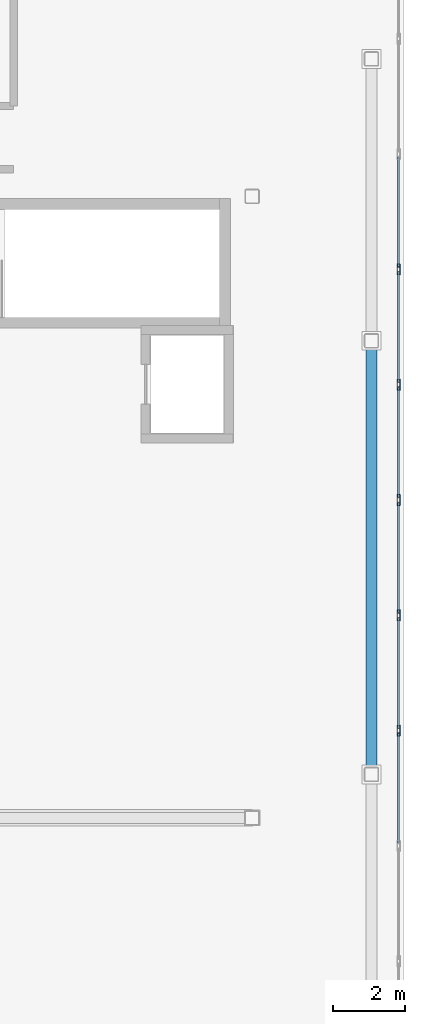
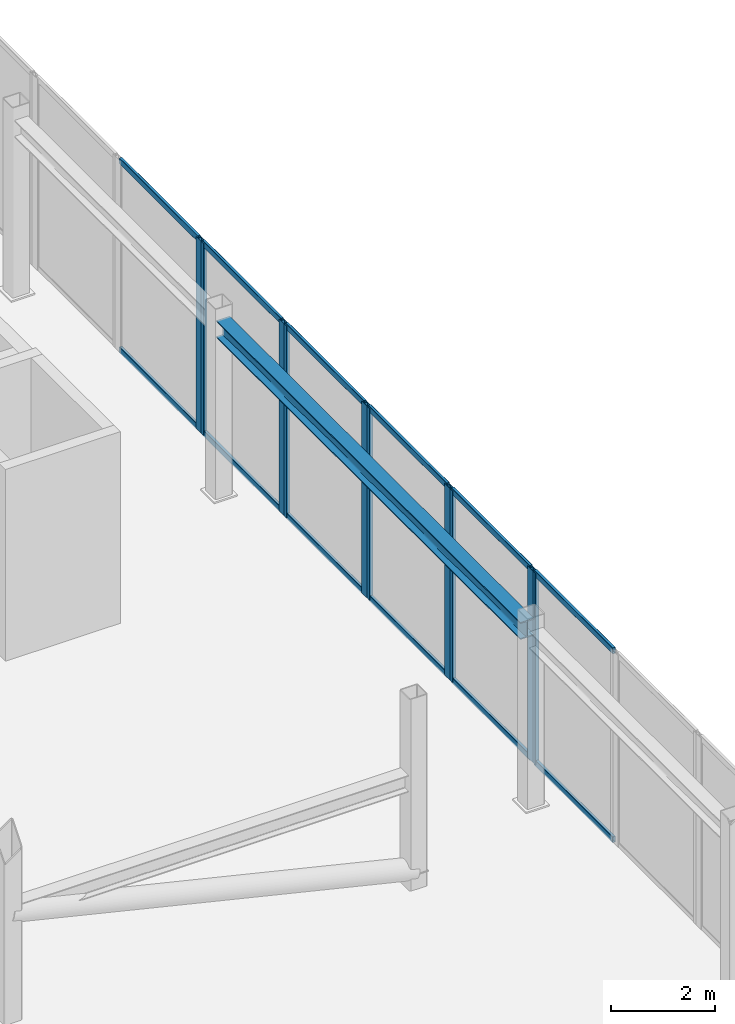
# One storey, part 9 of 18: 22 members, 1 beam, 6 elements without a shape of their own.
"""IFC4 building model written with IfcOpenShell, lengths in metres."""

from ifc_helpers import new_model, si_unit, direction, frame, origin, origin_2d, place, context, subcontext, project, spatial, hollow_rectangle, i_section, extrude, material, layer, layer_set, material_profile, profile_set, type_object, element, aggregate, save


model = new_model("IFC4")

# Units and contexts
model_context = context("Model", 3, precision=1e-05, world=origin(), true_north=direction((0.0, 1.0)))
body_context = subcontext(model_context, "Body", "Model", "MODEL_VIEW")
ifc_project = project(units=[si_unit("LENGTHUNIT", "METRE"), si_unit("AREAUNIT", "SQUARE_METRE"), si_unit("VOLUMEUNIT", "CUBIC_METRE"), si_unit("PLANEANGLEUNIT", "RADIAN"), si_unit("MASSUNIT", "GRAM", prefix="KILO")], contexts=[model_context])

# Site, building, storey
site_placement = place(None, origin())
site = spatial("IfcSite", under=ifc_project, at=site_placement, CompositionType="ELEMENT")
building_placement = place(site_placement, origin())
building = spatial("IfcBuilding", under=site, at=building_placement, Name="Tarnavaz Court Tower", CompositionType="ELEMENT")
storey_placement = place(building_placement, frame((0.0, 0.0, 281.550048828125)))
storey = spatial("IfcBuildingStorey", under=building, at=storey_placement, Name="C01", CompositionType="ELEMENT", Elevation=281.550048828125)

# Beam
ifc_material_1 = material(Name="Steel S355", Category="steel")
ifc_material_profile_1 = material_profile(ifc_material_1, i_section(OverallWidth=0.300048828125, OverallDepth=0.39990234375, WebThickness=0.013427734375, FlangeThickness=0.02392578125, FilletRadius=0.027099609375, at=origin_2d()), Name="HEB 400")
ifc_profile_set_1 = profile_set([ifc_material_profile_1], Name="Steel S355")
beam_type = type_object("IfcBeamType", Name="BM-G-HEB400", PredefinedType="USERDEFINED", material=ifc_profile_set_1)
beam_placement = place(storey_placement, frame((21.89990234375, -5.85009765625, 4.0), z_axis=(0.0, 1.0, 0.0), x_axis=(-1.0, 0.0, 0.0)))
element("IfcBeam", 1, at=beam_placement, inside=storey, type_object=beam_type, Name="C01 Beam CRG-PE-2-PE-3", ObjectType="GIRDER", PredefinedType="USERDEFINED", context=body_context, shape_type="SweptSolid", body=[
    extrude(i_section(OverallWidth=0.300048828125, OverallDepth=0.39990234375, WebThickness=0.013427734375, FlangeThickness=0.02392578125, FilletRadius=0.027099609375, at=origin_2d()), origin(), (0.0, 0.0, 1.0), 11.7001953125),
])

# Curtain wall, member
ifc_material_2 = material(Name="Anodised Aluminium 6063-T6 and Solar Low-E Glazing", Category="aluminium")
ifc_layer = layer(ifc_material_2, 0.2099609375)
ifc_layer_set = layer_set([ifc_layer], Name="Anodised Aluminium 6063-T6 and Solar Low-E Glazing")
curtain_wall_type = type_object("IfcCurtainWallType", Name="CW-SYS-06", PredefinedType="NOTDEFINED", material=ifc_layer_set)
curtain_wall_1_placement = place(storey_placement, origin())
curtain_wall_1 = element("IfcCurtainWall", 2, at=curtain_wall_1_placement, inside=storey, type_object=curtain_wall_type, Name="C01 Slanted Crown Terracotta Curtain Wall 26", PredefinedType="NOTDEFINED")
ifc_material_3 = material(Name="Anodised Aluminium 6063-T6", Category="aluminium")
ifc_material_profile_2 = material_profile(ifc_material_3, hollow_rectangle(XDim=0.0849609375, YDim=0.219970703125, WallThickness=0.006103515625, InnerFilletRadius=0.006103515625, OuterFilletRadius=0.011962890625, at=origin_2d()), Name="ALU RHS 220X85X6")
ifc_profile_set_2 = profile_set([ifc_material_profile_2], Name="Anodised Aluminium 6063-T6")
member_type_1 = type_object("IfcMemberType", Name="CW-MUL-220", PredefinedType="MULLION", material=ifc_profile_set_2)
member_1_placement = place(storey_placement, frame((22.64990234375, 8.019775390625, 0.0), z_axis=(0.0, 0.0, 1.0), x_axis=(1.0, 0.0, 0.0)))
member_1 = element("IfcMember", 3, at=member_1_placement, type_object=member_type_1, Name="CW mullion 2", PredefinedType="MULLION", context=body_context, shape_type="SweptSolid", body=[
    extrude(hollow_rectangle(XDim=0.0849609375, YDim=0.219970703125, WallThickness=0.006103515625, InnerFilletRadius=0.006103515625, OuterFilletRadius=0.011962890625, at=origin_2d()), origin(), (0.0, 0.0, 1.0), 4.5),
])

# Curtain wall, members
curtain_wall_2_placement = place(storey_placement, origin())
curtain_wall_2 = element("IfcCurtainWall", 4, at=curtain_wall_2_placement, inside=storey, type_object=curtain_wall_type, Name="C01 Slanted Crown Terracotta Curtain Wall 27", PredefinedType="NOTDEFINED")
member_2_placement = place(storey_placement, frame((22.64990234375, 7.934814453125, 0.0), z_axis=(0.0, 0.0, 1.0), x_axis=(1.0, 0.0, 0.0)))
member_2 = element("IfcMember", 5, at=member_2_placement, type_object=member_type_1, Name="CW mullion 1", PredefinedType="MULLION", context=body_context, shape_type="SweptSolid", body=[
    extrude(hollow_rectangle(XDim=0.0849609375, YDim=0.219970703125, WallThickness=0.006103515625, InnerFilletRadius=0.006103515625, OuterFilletRadius=0.011962890625, at=origin_2d()), origin(), (0.0, 0.0, 1.0), 4.5),
])
member_3_placement = place(storey_placement, frame((22.64990234375, 4.828857421875, 0.0), z_axis=(0.0, 0.0, 1.0), x_axis=(1.0, 0.0, 0.0)))
member_3 = element("IfcMember", 6, at=member_3_placement, type_object=member_type_1, Name="CW mullion 2", PredefinedType="MULLION", context=body_context, shape_type="SweptSolid", body=[
    extrude(hollow_rectangle(XDim=0.0849609375, YDim=0.219970703125, WallThickness=0.006103515625, InnerFilletRadius=0.006103515625, OuterFilletRadius=0.011962890625, at=origin_2d()), origin(), (0.0, 0.0, 1.0), 4.5),
])

curtain_wall_3_placement = place(storey_placement, origin())
curtain_wall_3 = element("IfcCurtainWall", 7, at=curtain_wall_3_placement, inside=storey, type_object=curtain_wall_type, Name="C01 Slanted Crown Terracotta Curtain Wall 28", PredefinedType="NOTDEFINED")
member_4_placement = place(storey_placement, frame((22.64990234375, 4.743896484375, 0.0), z_axis=(0.0, 0.0, 1.0), x_axis=(1.0, 0.0, 0.0)))
member_4 = element("IfcMember", 8, at=member_4_placement, type_object=member_type_1, Name="CW mullion 1", PredefinedType="MULLION", context=body_context, shape_type="SweptSolid", body=[
    extrude(hollow_rectangle(XDim=0.0849609375, YDim=0.219970703125, WallThickness=0.006103515625, InnerFilletRadius=0.006103515625, OuterFilletRadius=0.011962890625, at=origin_2d()), origin(), (0.0, 0.0, 1.0), 4.5),
])
member_5_placement = place(storey_placement, frame((22.64990234375, 1.637939453125, 0.0), z_axis=(0.0, 0.0, 1.0), x_axis=(1.0, 0.0, 0.0)))
member_5 = element("IfcMember", 9, at=member_5_placement, type_object=member_type_1, Name="CW mullion 2", PredefinedType="MULLION", context=body_context, shape_type="SweptSolid", body=[
    extrude(hollow_rectangle(XDim=0.0849609375, YDim=0.219970703125, WallThickness=0.006103515625, InnerFilletRadius=0.006103515625, OuterFilletRadius=0.011962890625, at=origin_2d()), origin(), (0.0, 0.0, 1.0), 4.5),
])

curtain_wall_4_placement = place(storey_placement, origin())
curtain_wall_4 = element("IfcCurtainWall", 10, at=curtain_wall_4_placement, inside=storey, type_object=curtain_wall_type, Name="C01 Slanted Crown Terracotta Curtain Wall 29", PredefinedType="NOTDEFINED")
member_6_placement = place(storey_placement, frame((22.64990234375, 1.552978515625, 0.0), z_axis=(0.0, 0.0, 1.0), x_axis=(1.0, 0.0, 0.0)))
member_6 = element("IfcMember", 11, at=member_6_placement, type_object=member_type_1, Name="CW mullion 1", PredefinedType="MULLION", context=body_context, shape_type="SweptSolid", body=[
    extrude(hollow_rectangle(XDim=0.0849609375, YDim=0.219970703125, WallThickness=0.006103515625, InnerFilletRadius=0.006103515625, OuterFilletRadius=0.011962890625, at=origin_2d()), origin(), (0.0, 0.0, 1.0), 4.5),
])
member_7_placement = place(storey_placement, frame((22.64990234375, -1.552978515625, 0.0), z_axis=(0.0, 0.0, 1.0), x_axis=(1.0, 0.0, 0.0)))
member_7 = element("IfcMember", 12, at=member_7_placement, type_object=member_type_1, Name="CW mullion 2", PredefinedType="MULLION", context=body_context, shape_type="SweptSolid", body=[
    extrude(hollow_rectangle(XDim=0.0849609375, YDim=0.219970703125, WallThickness=0.006103515625, InnerFilletRadius=0.006103515625, OuterFilletRadius=0.011962890625, at=origin_2d()), origin(), (0.0, 0.0, 1.0), 4.5),
])

curtain_wall_5_placement = place(storey_placement, origin())
curtain_wall_5 = element("IfcCurtainWall", 13, at=curtain_wall_5_placement, inside=storey, type_object=curtain_wall_type, Name="C01 Slanted Crown Terracotta Curtain Wall 30", PredefinedType="NOTDEFINED")
member_8_placement = place(storey_placement, frame((22.64990234375, -1.637939453125, 0.0), z_axis=(0.0, 0.0, 1.0), x_axis=(1.0, 0.0, 0.0)))
member_8 = element("IfcMember", 14, at=member_8_placement, type_object=member_type_1, Name="CW mullion 1", PredefinedType="MULLION", context=body_context, shape_type="SweptSolid", body=[
    extrude(hollow_rectangle(XDim=0.0849609375, YDim=0.219970703125, WallThickness=0.006103515625, InnerFilletRadius=0.006103515625, OuterFilletRadius=0.011962890625, at=origin_2d()), origin(), (0.0, 0.0, 1.0), 4.5),
])
member_9_placement = place(storey_placement, frame((22.64990234375, -4.743896484375, 0.0), z_axis=(0.0, 0.0, 1.0), x_axis=(1.0, 0.0, 0.0)))
member_9 = element("IfcMember", 15, at=member_9_placement, type_object=member_type_1, Name="CW mullion 2", PredefinedType="MULLION", context=body_context, shape_type="SweptSolid", body=[
    extrude(hollow_rectangle(XDim=0.0849609375, YDim=0.219970703125, WallThickness=0.006103515625, InnerFilletRadius=0.006103515625, OuterFilletRadius=0.011962890625, at=origin_2d()), origin(), (0.0, 0.0, 1.0), 4.5),
])

# Curtain wall, member
curtain_wall_6_placement = place(storey_placement, origin())
curtain_wall_6 = element("IfcCurtainWall", 16, at=curtain_wall_6_placement, inside=storey, type_object=curtain_wall_type, Name="C01 Slanted Crown Terracotta Curtain Wall 31", PredefinedType="NOTDEFINED")
member_10_placement = place(storey_placement, frame((22.64990234375, -4.828857421875, 0.0), z_axis=(0.0, 0.0, 1.0), x_axis=(1.0, 0.0, 0.0)))
member_10 = element("IfcMember", 17, at=member_10_placement, type_object=member_type_1, Name="CW mullion 1", PredefinedType="MULLION", context=body_context, shape_type="SweptSolid", body=[
    extrude(hollow_rectangle(XDim=0.0849609375, YDim=0.219970703125, WallThickness=0.006103515625, InnerFilletRadius=0.006103515625, OuterFilletRadius=0.011962890625, at=origin_2d()), origin(), (0.0, 0.0, 1.0), 4.5),
])

# Member
ifc_material_profile_3 = material_profile(ifc_material_3, hollow_rectangle(XDim=0.06494140625, YDim=0.139892578125, WallThickness=0.00390625, InnerFilletRadius=0.00390625, OuterFilletRadius=0.008056640625, at=origin_2d()), Name="ALU RHS 140X65X4")
ifc_profile_set_3 = profile_set([ifc_material_profile_3], Name="Anodised Aluminium 6063-T6")
member_type_2 = type_object("IfcMemberType", Name="CW-TRN-140", PredefinedType="USERDEFINED", material=ifc_profile_set_3)
member_11_placement = place(storey_placement, frame((22.64990234375, 11.083251953125, 0.032470703125), z_axis=(0.0, -1.0, 0.0), x_axis=(1.0, 0.0, 0.0)))
member_11 = element("IfcMember", 18, at=member_11_placement, type_object=member_type_2, Name="CW transom 1.1", ObjectType="TRANSOM", PredefinedType="USERDEFINED", context=body_context, shape_type="SweptSolid", body=[
    extrude(hollow_rectangle(XDim=0.06494140625, YDim=0.139892578125, WallThickness=0.00390625, InnerFilletRadius=0.00390625, OuterFilletRadius=0.008056640625, at=origin_2d()), origin(), (0.0, 0.0, 1.0), 3.02099609375),
])

member_12_placement = place(storey_placement, frame((22.64990234375, 11.083251953125, 4.467529296875), z_axis=(0.0, -1.0, 0.0), x_axis=(1.0, 0.0, 0.0)))
member_12 = element("IfcMember", 19, at=member_12_placement, type_object=member_type_2, Name="CW transom 1.2", ObjectType="TRANSOM", PredefinedType="USERDEFINED", context=body_context, shape_type="SweptSolid", body=[
    extrude(hollow_rectangle(XDim=0.06494140625, YDim=0.139892578125, WallThickness=0.00390625, InnerFilletRadius=0.00390625, OuterFilletRadius=0.008056640625, at=origin_2d()), origin(), (0.0, 0.0, 1.0), 3.02099609375),
])

aggregate(curtain_wall_1, [member_1, member_11, member_12])

member_13_placement = place(storey_placement, frame((22.64990234375, 7.892333984375, 0.032470703125), z_axis=(0.0, -1.0, 0.0), x_axis=(1.0, 0.0, 0.0)))
member_13 = element("IfcMember", 20, at=member_13_placement, type_object=member_type_2, Name="CW transom 1.1", ObjectType="TRANSOM", PredefinedType="USERDEFINED", context=body_context, shape_type="SweptSolid", body=[
    extrude(hollow_rectangle(XDim=0.06494140625, YDim=0.139892578125, WallThickness=0.00390625, InnerFilletRadius=0.00390625, OuterFilletRadius=0.008056640625, at=origin_2d()), origin(), (0.0, 0.0, 1.0), 3.02099609375),
])

member_14_placement = place(storey_placement, frame((22.64990234375, 7.892333984375, 4.467529296875), z_axis=(0.0, -1.0, 0.0), x_axis=(1.0, 0.0, 0.0)))
member_14 = element("IfcMember", 21, at=member_14_placement, type_object=member_type_2, Name="CW transom 1.2", ObjectType="TRANSOM", PredefinedType="USERDEFINED", context=body_context, shape_type="SweptSolid", body=[
    extrude(hollow_rectangle(XDim=0.06494140625, YDim=0.139892578125, WallThickness=0.00390625, InnerFilletRadius=0.00390625, OuterFilletRadius=0.008056640625, at=origin_2d()), origin(), (0.0, 0.0, 1.0), 3.02099609375),
])

aggregate(curtain_wall_2, [member_2, member_3, member_13, member_14])

member_15_placement = place(storey_placement, frame((22.64990234375, 4.701416015625, 0.032470703125), z_axis=(0.0, -1.0, 0.0), x_axis=(1.0, 0.0, 0.0)))
member_15 = element("IfcMember", 22, at=member_15_placement, type_object=member_type_2, Name="CW transom 1.1", ObjectType="TRANSOM", PredefinedType="USERDEFINED", context=body_context, shape_type="SweptSolid", body=[
    extrude(hollow_rectangle(XDim=0.06494140625, YDim=0.139892578125, WallThickness=0.00390625, InnerFilletRadius=0.00390625, OuterFilletRadius=0.008056640625, at=origin_2d()), origin(), (0.0, 0.0, 1.0), 3.02099609375),
])

member_16_placement = place(storey_placement, frame((22.64990234375, 4.701416015625, 4.467529296875), z_axis=(0.0, -1.0, 0.0), x_axis=(1.0, 0.0, 0.0)))
member_16 = element("IfcMember", 23, at=member_16_placement, type_object=member_type_2, Name="CW transom 1.2", ObjectType="TRANSOM", PredefinedType="USERDEFINED", context=body_context, shape_type="SweptSolid", body=[
    extrude(hollow_rectangle(XDim=0.06494140625, YDim=0.139892578125, WallThickness=0.00390625, InnerFilletRadius=0.00390625, OuterFilletRadius=0.008056640625, at=origin_2d()), origin(), (0.0, 0.0, 1.0), 3.02099609375),
])

aggregate(curtain_wall_3, [member_4, member_5, member_15, member_16])

member_17_placement = place(storey_placement, frame((22.64990234375, 1.510498046875, 0.032470703125), z_axis=(0.0, -1.0, 0.0), x_axis=(1.0, 0.0, 0.0)))
member_17 = element("IfcMember", 24, at=member_17_placement, type_object=member_type_2, Name="CW transom 1.1", ObjectType="TRANSOM", PredefinedType="USERDEFINED", context=body_context, shape_type="SweptSolid", body=[
    extrude(hollow_rectangle(XDim=0.06494140625, YDim=0.139892578125, WallThickness=0.00390625, InnerFilletRadius=0.00390625, OuterFilletRadius=0.008056640625, at=origin_2d()), origin(), (0.0, 0.0, 1.0), 3.02099609375),
])

member_18_placement = place(storey_placement, frame((22.64990234375, 1.510498046875, 4.467529296875), z_axis=(0.0, -1.0, 0.0), x_axis=(1.0, 0.0, 0.0)))
member_18 = element("IfcMember", 25, at=member_18_placement, type_object=member_type_2, Name="CW transom 1.2", ObjectType="TRANSOM", PredefinedType="USERDEFINED", context=body_context, shape_type="SweptSolid", body=[
    extrude(hollow_rectangle(XDim=0.06494140625, YDim=0.139892578125, WallThickness=0.00390625, InnerFilletRadius=0.00390625, OuterFilletRadius=0.008056640625, at=origin_2d()), origin(), (0.0, 0.0, 1.0), 3.02099609375),
])

aggregate(curtain_wall_4, [member_6, member_7, member_17, member_18])

member_19_placement = place(storey_placement, frame((22.64990234375, -1.680419921875, 0.032470703125), z_axis=(0.0, -1.0, 0.0), x_axis=(1.0, 0.0, 0.0)))
member_19 = element("IfcMember", 26, at=member_19_placement, type_object=member_type_2, Name="CW transom 1.1", ObjectType="TRANSOM", PredefinedType="USERDEFINED", context=body_context, shape_type="SweptSolid", body=[
    extrude(hollow_rectangle(XDim=0.06494140625, YDim=0.139892578125, WallThickness=0.00390625, InnerFilletRadius=0.00390625, OuterFilletRadius=0.008056640625, at=origin_2d()), origin(), (0.0, 0.0, 1.0), 3.02099609375),
])

member_20_placement = place(storey_placement, frame((22.64990234375, -1.680419921875, 4.467529296875), z_axis=(0.0, -1.0, 0.0), x_axis=(1.0, 0.0, 0.0)))
member_20 = element("IfcMember", 27, at=member_20_placement, type_object=member_type_2, Name="CW transom 1.2", ObjectType="TRANSOM", PredefinedType="USERDEFINED", context=body_context, shape_type="SweptSolid", body=[
    extrude(hollow_rectangle(XDim=0.06494140625, YDim=0.139892578125, WallThickness=0.00390625, InnerFilletRadius=0.00390625, OuterFilletRadius=0.008056640625, at=origin_2d()), origin(), (0.0, 0.0, 1.0), 3.02099609375),
])

aggregate(curtain_wall_5, [member_8, member_9, member_19, member_20])

member_21_placement = place(storey_placement, frame((22.64990234375, -4.871337890625, 0.032470703125), z_axis=(0.0, -1.0, 0.0), x_axis=(1.0, 0.0, 0.0)))
member_21 = element("IfcMember", 28, at=member_21_placement, type_object=member_type_2, Name="CW transom 1.1", ObjectType="TRANSOM", PredefinedType="USERDEFINED", context=body_context, shape_type="SweptSolid", body=[
    extrude(hollow_rectangle(XDim=0.06494140625, YDim=0.139892578125, WallThickness=0.00390625, InnerFilletRadius=0.00390625, OuterFilletRadius=0.008056640625, at=origin_2d()), origin(), (0.0, 0.0, 1.0), 3.02099609375),
])

member_22_placement = place(storey_placement, frame((22.64990234375, -4.871337890625, 4.467529296875), z_axis=(0.0, -1.0, 0.0), x_axis=(1.0, 0.0, 0.0)))
member_22 = element("IfcMember", 29, at=member_22_placement, type_object=member_type_2, Name="CW transom 1.2", ObjectType="TRANSOM", PredefinedType="USERDEFINED", context=body_context, shape_type="SweptSolid", body=[
    extrude(hollow_rectangle(XDim=0.06494140625, YDim=0.139892578125, WallThickness=0.00390625, InnerFilletRadius=0.00390625, OuterFilletRadius=0.008056640625, at=origin_2d()), origin(), (0.0, 0.0, 1.0), 3.02099609375),
])

aggregate(curtain_wall_6, [member_10, member_21, member_22])

save(model, "model.ifc")
